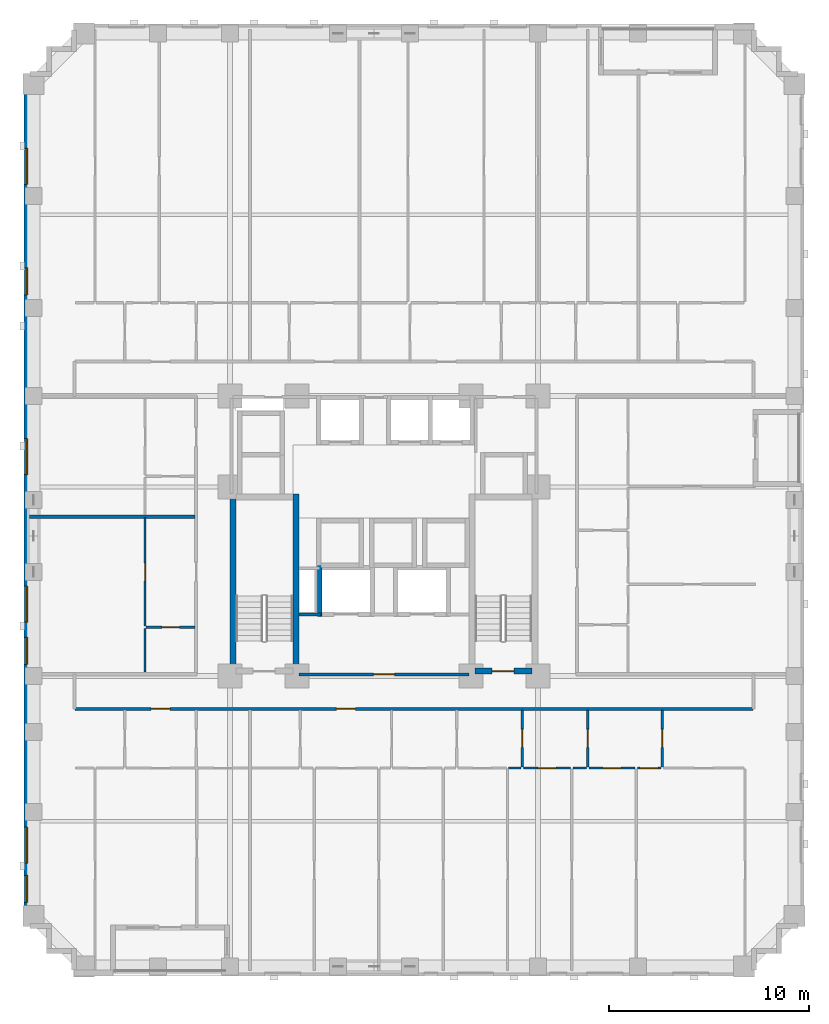
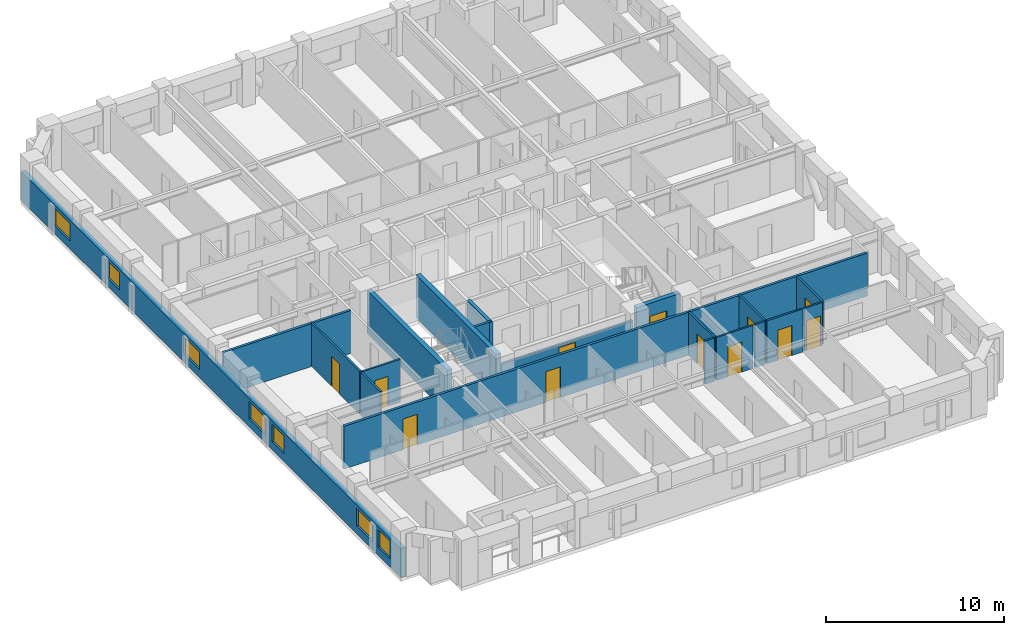
# One storey, part 4 of 14: 20 walls, 12 doors, 7 windows, 19 openings.
"""IFC4 building model written with IfcOpenShell, lengths in metres."""

import ifcopenshell
import ifcopenshell.guid

model = None  # the IFC model being written
_history = None  # IfcOwnerHistory: only IFC2X3 demands one
_inside = {}  # id of a spatial element -> (the spatial element, [elements in it])
_under = {}  # id of a project, library or spatial element -> (it, [spatial elements below it])
_declared = {}  # id of a project -> (the project, [libraries it declares])
_typed = {}  # id of a type object -> (the type object, [elements of that type])
_made_of = {}  # id of a material, layer set ... -> (it, [elements and type objects made of it])


def new_model(schema):
    """Start an empty IFC model of exactly this schema.

    Asked for "IFC4X3", IfcOpenShell would pick the latest addendum, in which some entities
    have other attributes; the version numbers below select the first issue.
    IFC2X3 requires an IfcOwnerHistory on every rooted entity: one is made here for all.
    """
    global model, _history
    if schema == "IFC4X3":
        model = ifcopenshell.file(schema_version=(4, 3, 0, 0))
    else:
        model = ifcopenshell.file(schema=schema)
    _inside.clear()
    _under.clear()
    _declared.clear()
    _typed.clear()
    _made_of.clear()
    _history = None
    if model.schema == "IFC2X3":
        org = make("IfcOrganization", Name="unknown")
        user = make(
            "IfcPersonAndOrganization",
            ThePerson=make("IfcPerson", FamilyName="unknown"),
            TheOrganization=org,
        )
        app = make(
            "IfcApplication",
            ApplicationDeveloper=org,
            Version="unknown",
            ApplicationFullName="unknown",
            ApplicationIdentifier="unknown",
        )
        _history = make(
            "IfcOwnerHistory",
            OwningUser=user,
            OwningApplication=app,
            ChangeAction="ADDED",
            CreationDate=0,
        )
    return model


def make(cls, **values):
    """One entity of the class cls with the attributes given. An attribute that is None is left unset."""
    return model.create_entity(
        cls, **{name: value for name, value in values.items() if value is not None}
    )


def rooted(cls, **values):
    """An entity with a GlobalId (a new one), such as an element, a storey or a relation."""
    return make(cls, GlobalId=ifcopenshell.guid.new(), OwnerHistory=_history, **values)


def si_unit(unit_type, name, prefix=None):
    """IfcSIUnit, for example si_unit("LENGTHUNIT", "METRE", prefix="MILLI")."""
    return make("IfcSIUnit", UnitType=unit_type, Prefix=prefix, Name=name)


def derived_unit(unit_type, elements):
    """IfcDerivedUnit: a product of units, each with its exponent."""
    return make(
        "IfcDerivedUnit",
        Elements=[
            make("IfcDerivedUnitElement", Unit=unit, Exponent=power)
            for unit, power in elements
        ],
        UnitType=unit_type,
    )


def assignment(units):
    """IfcUnitAssignment: the units of a project."""
    return None if units is None else make("IfcUnitAssignment", Units=units)


def point(xyz):
    """IfcCartesianPoint."""
    return None if xyz is None else make("IfcCartesianPoint", Coordinates=xyz)


def direction(xyz):
    """IfcDirection."""
    return None if xyz is None else make("IfcDirection", DirectionRatios=xyz)


def frame(location, z_axis=None, x_axis=None):
    """IfcAxis2Placement3D, a coordinate frame: its origin and axes. An axis left out is left unset."""
    return make(
        "IfcAxis2Placement3D",
        Location=point(location),
        Axis=direction(z_axis),
        RefDirection=direction(x_axis),
    )


def frame_2d(location, x_axis=None):
    """IfcAxis2Placement2D, a coordinate frame in the plane: its origin and x axis."""
    return make(
        "IfcAxis2Placement2D", Location=point(location), RefDirection=direction(x_axis)
    )


def origin():
    """The frame at (0, 0, 0) with its axes left unset."""
    return frame((0.0, 0.0, 0.0))


def place(relative_to, where):
    """IfcLocalPlacement: puts the frame where relative to a parent placement (None: the world)."""
    return make(
        "IfcLocalPlacement", PlacementRelTo=relative_to, RelativePlacement=where
    )


def context(
    kind, dimensions, precision=None, world=None, true_north=None, identifier=None
):
    """IfcGeometricRepresentationContext, for example the 3D "Model" context."""
    return make(
        "IfcGeometricRepresentationContext",
        ContextIdentifier=identifier,
        ContextType=kind,
        CoordinateSpaceDimension=dimensions,
        Precision=precision,
        WorldCoordinateSystem=world,
        TrueNorth=true_north,
    )


def subcontext(parent, identifier, kind, view, scale=None):
    """IfcGeometricRepresentationSubContext, for example "Body" below "Model"."""
    return make(
        "IfcGeometricRepresentationSubContext",
        ContextIdentifier=identifier,
        ContextType=kind,
        ParentContext=parent,
        TargetScale=scale,
        TargetView=view,
    )


def project(units=None, contexts=None):
    """IfcProject with its units and contexts."""
    return rooted(
        "IfcProject",
        Name="project",
        RepresentationContexts=contexts,
        UnitsInContext=assignment(units),
    )


def spatial(cls, under=None, at=None, **own):
    """A site, building, storey or space (cls), placed at a placement, below another one or the project."""
    s = rooted(cls, ObjectPlacement=at, **own)
    if under is not None:
        _under.setdefault(under.id(), (under, []))[1].append(s)
    return s


def profile(cls, at=None, kind="AREA", **sizes):
    """A parametric profile (cls). Its sizes go by their IFC names, for example OverallWidth=200.0."""
    return make(cls, ProfileType=kind, Position=at, **sizes)


def rectangle(**sizes):
    """IfcRectangleProfileDef."""
    return profile("IfcRectangleProfileDef", **sizes)


def extrude(swept, where, along, depth):
    """IfcExtrudedAreaSolid: the profile swept, set in the frame where, extruded along a direction by depth."""
    return make(
        "IfcExtrudedAreaSolid",
        SweptArea=swept,
        Position=where,
        ExtrudedDirection=direction(along),
        Depth=depth,
    )


def shape(context_of_items, identifier, shape_type, items):
    """IfcShapeRepresentation: the items that make up one representation, for example the "Body"."""
    return make(
        "IfcShapeRepresentation",
        ContextOfItems=context_of_items,
        RepresentationIdentifier=identifier,
        RepresentationType=shape_type,
        Items=items,
    )


def material(Name=None, Category=None):
    """IfcMaterial."""
    return make("IfcMaterial", Name=Name, Category=Category)


def layer(
    of_material, thickness, ventilated=None, Name=None, Category=None, Priority=None
):
    """IfcMaterialLayer: one layer of a wall or slab, of a material (None: an air gap)."""
    return make(
        "IfcMaterialLayer",
        Material=of_material,
        LayerThickness=thickness,
        IsVentilated=ventilated,
        Name=Name,
        Category=Category,
        Priority=Priority,
    )


def layer_set(layers, Name=None):
    """IfcMaterialLayerSet."""
    return make("IfcMaterialLayerSet", MaterialLayers=layers, LayerSetName=Name)


def made_of(thing, what):
    """Note that an element or type object is made of a material, layer set ...; save() writes the relation."""
    if what is not None:
        _made_of.setdefault(what.id(), (what, []))[1].append(thing)
    return thing


def type_object(cls, material=None, **own):
    """A type object (cls), such as IfcWallType, which elements share."""
    return made_of(rooted(cls, **own), material)


def element(
    cls,
    number,
    at=None,
    inside=None,
    cuts=None,
    type_object=None,
    material=None,
    context=None,
    identifier="Body",
    shape_type=None,
    held_by="IfcProductDefinitionShape",
    body=None,
    shapes=None,
    **own,
):
    """One element of the class cls, such as IfcWall. Its Tag is "e" and its number.

    at: its placement. inside: the storey or other place that contains it. cuts: it is an
    opening in that element (IfcRelVoidsElement). A single representation is given by context,
    identifier, shape_type and body (its items); several are given by shapes. held_by: the class
    of the entity that holds the representations. save() writes the other relations.
    """
    e = rooted(cls, Tag="e%d" % number, ObjectPlacement=at, **own)
    if body is not None:
        shapes = [shape(context, identifier, shape_type, body)]
    if shapes is not None:
        e.Representation = make(held_by, Representations=shapes)
    if inside is not None:
        _inside.setdefault(inside.id(), (inside, []))[1].append(e)
    if cuts is not None:
        rooted(
            "IfcRelVoidsElement", RelatingBuildingElement=cuts, RelatedOpeningElement=e
        )
    if type_object is not None:
        _typed.setdefault(type_object.id(), (type_object, []))[1].append(e)
    return made_of(e, material)


def fill(opening, filler):
    """IfcRelFillsElement: the door or window that sits in an opening."""
    return rooted(
        "IfcRelFillsElement",
        RelatingOpeningElement=opening,
        RelatedBuildingElement=filler,
    )


def aggregate(whole, parts):
    """IfcRelAggregates: a whole, such as a stair, and the parts it consists of."""
    return rooted("IfcRelAggregates", RelatingObject=whole, RelatedObjects=parts)


def save(model, path):
    """Write the relations noted so far, then the file.

    IfcRelAggregates (storeys below a building ...), IfcRelContainedInSpatialStructure (elements
    in a storey), IfcRelDefinesByType, IfcRelAssociatesMaterial and IfcRelDeclares: one each for
    every whole, place, type object, material and project.
    """
    for whole, parts in _under.values():
        aggregate(whole, parts)
    for where, things in _inside.values():
        rooted(
            "IfcRelContainedInSpatialStructure",
            RelatedElements=things,
            RelatingStructure=where,
        )
    for kind, things in _typed.values():
        rooted("IfcRelDefinesByType", RelatedObjects=things, RelatingType=kind)
    for what, things in _made_of.values():
        rooted("IfcRelAssociatesMaterial", RelatedObjects=things, RelatingMaterial=what)
    for by, libraries in _declared.values():
        rooted("IfcRelDeclares", RelatingContext=by, RelatedDefinitions=libraries)
    model.write(path)


model = new_model("IFC4")

# Units and contexts
model_context = context("Model", 3, precision=1e-05, world=origin(), true_north=direction((0.0, 1.0)))
body_context = subcontext(model_context, "Body", "Model", "MODEL_VIEW")
ifc_project = project(units=[si_unit("LENGTHUNIT", "METRE"), si_unit("AREAUNIT", "SQUARE_METRE"), si_unit("VOLUMEUNIT", "CUBIC_METRE"), si_unit("PLANEANGLEUNIT", "RADIAN"), si_unit("MASSUNIT", "GRAM", prefix="KILO"), derived_unit("THERMALTRANSMITTANCEUNIT", [(si_unit("MASSUNIT", "GRAM", prefix="KILO"), 1), (si_unit("TIMEUNIT", "SECOND"), -3), (si_unit("THERMODYNAMICTEMPERATUREUNIT", "KELVIN"), -1)])], contexts=[model_context])

# Site, building, storey
site_placement = place(None, origin())
site = spatial("IfcSite", under=ifc_project, at=site_placement, CompositionType="ELEMENT")
building_placement = place(site_placement, origin())
building = spatial("IfcBuilding", under=site, at=building_placement, Name="Korrvale Station Residences", CompositionType="ELEMENT")
storey_placement = place(building_placement, frame((0.0, 0.0, 64.199951171875)))
storey = spatial("IfcBuildingStorey", under=building, at=storey_placement, Name="L17", CompositionType="ELEMENT", Elevation=64.199951171875)

# Walls
ifc_material_1 = material(Name="Concrete C70/85", Category="concrete")
ifc_layer_1 = layer(ifc_material_1, 0.300048828125, Name="Concrete C70/85")
ifc_layer_set_1 = layer_set([ifc_layer_1], Name="Concrete C70/85")
wall_type_1 = type_object("IfcWallType", Name="WAL-CORE-300-C70", PredefinedType="SHEAR", material=ifc_layer_set_1)
for number, where, z_axis, x_axis, name in (
    (1, (17.949951171875, 15.10009765625, 0.0), (0.0, 0.0, 1.0), (0.0, 1.0, 0.0), "L17 ST-1 Core Shear Wall West"),
    (2, (21.10009765625, 15.10009765625, 0.0), (0.0, 0.0, 1.0), (0.0, 1.0, 0.0), "L17 ST-1 Core Shear Wall East"),
):
    element("IfcWall", number, at=place(storey_placement, frame(where, z_axis=z_axis, x_axis=x_axis)), inside=storey, type_object=wall_type_1, Name=name, PredefinedType="SHEAR", context=body_context, shape_type="SweptSolid", body=[
        extrude(rectangle(XDim=9.0, YDim=0.300048828125, at=frame_2d((4.5, 0.0))), origin(), (0.0, 0.0, 1.0), 2.93994140625),
    ])

# Wall, opening, door
wall_1_placement = place(storey_placement, frame((30.050048828125, 15.25, 0.0), z_axis=(0.0, 0.0, 1.0), x_axis=(1.0, 0.0, 0.0)))
wall_1 = element("IfcWall", 3, at=wall_1_placement, inside=storey, type_object=wall_type_1, Name="L17 ST-2 Core Shear Wall South", PredefinedType="SHEAR", context=body_context, shape_type="SweptSolid", body=[
    extrude(rectangle(XDim=2.849853515625, YDim=0.300048828125, at=frame_2d((1.4248046875, 0.0))), origin(), (0.0, 0.0, 1.0), 2.93994140625),
])
opening_1_placement = place(wall_1_placement, frame((0.860107421875, 0.0, 0.0)))
opening_1 = element("IfcOpeningElement", 4, at=opening_1_placement, cuts=wall_1, Name="Opening SD-1100", PredefinedType="OPENING", context=body_context, shape_type="SweptSolid", body=[
    extrude(rectangle(XDim=1.10009765625, YDim=2.050048828125, at=frame_2d((0.550048828125, 1.02490234375))), frame((0.0, 0.16015625, 0.0), z_axis=(0.0, -1.0, 0.0), x_axis=(1.0, 0.0, 0.0)), (0.0, 0.0, 1.0), 0.320068359375),
])
ifc_material_2 = material(Name="Hollow-metal fire-rated stair door with closer", Category="steel")
door_type_1 = type_object("IfcDoorType", Name="DR-STAIR-1100", OperationType="NOTDEFINED", PredefinedType="DOOR", material=ifc_material_2)
door_1_placement = place(opening_1_placement, origin())
door_1 = element("IfcDoor", 5, at=door_1_placement, inside=storey, type_object=door_type_1, Name="L17 ST-2 Exit Stair Door", OperationType="SINGLE_SWING_RIGHT", OverallHeight=2.050048828125, OverallWidth=1.10009765625, PredefinedType="DOOR", context=body_context, shape_type="SweptSolid", body=[
    extrude(rectangle(XDim=1.10009765625, YDim=2.050048828125, at=frame_2d((0.550048828125, 1.02490234375))), frame((0.0, 0.02490234375, 0.0), z_axis=(0.0, -1.0, 0.0), x_axis=(1.0, 0.0, 0.0)), (0.0, 0.0, 1.0), 0.050048828125),
])
fill(opening_1, door_1)

# Wall, openings, windows
ifc_material_3 = material(Name="Precast concrete C45/55", Category="concrete")
ifc_layer_2 = layer(ifc_material_3, 0.300048828125, Name="Precast concrete C45/55")
ifc_layer_set_2 = layer_set([ifc_layer_2], Name="Precast concrete C45/55")
wall_type_2 = type_object("IfcWallType", Name="WAL-EXT-PC300", PredefinedType="SOLIDWALL", material=ifc_layer_set_2)
wall_2_placement = place(storey_placement, frame((7.64990234375, 2.5, 0.0), z_axis=(0.0, 0.0, 1.0), x_axis=(0.0, 1.0, 0.0)))
wall_2 = element("IfcWall", 6, at=wall_2_placement, inside=storey, type_object=wall_type_2, Name="L17 West Exterior Precast Wall 1", PredefinedType="SOLIDWALL", context=body_context, shape_type="SweptSolid", body=[
    extrude(rectangle(XDim=42.60009765625, YDim=0.300048828125, at=frame_2d((21.300048828125, 0.0))), origin(), (0.0, 0.0, 1.0), 1.97509765625),
])
opening_2_placement = place(wall_2_placement, frame((3.14990234375, 0.0, 0.550048828125)))
opening_2 = element("IfcOpeningElement", 7, at=opening_2_placement, cuts=wall_2, Name="Opening W-09", PredefinedType="OPENING", context=body_context, shape_type="SweptSolid", body=[
    extrude(rectangle(XDim=1.800048828125, YDim=1.199951171875, at=frame_2d((0.89990234375, 0.60009765625))), frame((0.0, 0.16015625, 0.0), z_axis=(0.0, -1.0, 0.0), x_axis=(1.0, 0.0, 0.0)), (0.0, 0.0, 1.0), 0.320068359375),
])
opening_3_placement = place(wall_2_placement, frame((1.18505859375, 0.0, 0.550048828125)))
opening_3 = element("IfcOpeningElement", 8, at=opening_3_placement, cuts=wall_2, Name="Opening W-10", PredefinedType="OPENING", context=body_context, shape_type="SweptSolid", body=[
    extrude(rectangle(XDim=1.35009765625, YDim=1.199951171875, at=frame_2d((0.675048828125, 0.60009765625))), frame((0.0, 0.16015625, 0.0), z_axis=(0.0, -1.0, 0.0), x_axis=(1.0, 0.0, 0.0)), (0.0, 0.0, 1.0), 0.320068359375),
])
opening_4_placement = place(wall_2_placement, frame((37.0849609375, 0.0, 0.550048828125)))
opening_4 = element("IfcOpeningElement", 9, at=opening_4_placement, cuts=wall_2, Name="Opening W-09", PredefinedType="OPENING", context=body_context, shape_type="SweptSolid", body=[
    extrude(rectangle(XDim=1.800048828125, YDim=1.199951171875, at=frame_2d((0.89990234375, 0.60009765625))), frame((0.0, 0.16015625, 0.0), z_axis=(0.0, -1.0, 0.0), x_axis=(1.0, 0.0, 0.0)), (0.0, 0.0, 1.0), 0.320068359375),
])
opening_5_placement = place(wall_2_placement, frame((31.550048828125, 0.0, 0.550048828125)))
opening_5 = element("IfcOpeningElement", 10, at=opening_5_placement, cuts=wall_2, Name="Opening W-10", PredefinedType="OPENING", context=body_context, shape_type="SweptSolid", body=[
    extrude(rectangle(XDim=1.35009765625, YDim=1.199951171875, at=frame_2d((0.675048828125, 0.60009765625))), frame((0.0, 0.16015625, 0.0), z_axis=(0.0, -1.0, 0.0), x_axis=(1.0, 0.0, 0.0)), (0.0, 0.0, 1.0), 0.320068359375),
])
opening_6_placement = place(wall_2_placement, frame((15.199951171875, 0.0, 0.550048828125)))
opening_6 = element("IfcOpeningElement", 11, at=opening_6_placement, cuts=wall_2, Name="Opening W-09", PredefinedType="OPENING", context=body_context, shape_type="SweptSolid", body=[
    extrude(rectangle(XDim=1.800048828125, YDim=1.199951171875, at=frame_2d((0.89990234375, 0.60009765625))), frame((0.0, 0.16015625, 0.0), z_axis=(0.0, -1.0, 0.0), x_axis=(1.0, 0.0, 0.0)), (0.0, 0.0, 1.0), 0.320068359375),
])
opening_7_placement = place(wall_2_placement, frame((13.0849609375, 0.0, 0.550048828125)))
opening_7 = element("IfcOpeningElement", 12, at=opening_7_placement, cuts=wall_2, Name="Opening W-10", PredefinedType="OPENING", context=body_context, shape_type="SweptSolid", body=[
    extrude(rectangle(XDim=1.35009765625, YDim=1.199951171875, at=frame_2d((0.675048828125, 0.60009765625))), frame((0.0, 0.16015625, 0.0), z_axis=(0.0, -1.0, 0.0), x_axis=(1.0, 0.0, 0.0)), (0.0, 0.0, 1.0), 0.320068359375),
])
opening_8_placement = place(wall_2_placement, frame((22.574951171875, 0.0, 0.550048828125)))
opening_8 = element("IfcOpeningElement", 13, at=opening_8_placement, cuts=wall_2, Name="Opening W-09", PredefinedType="OPENING", context=body_context, shape_type="SweptSolid", body=[
    extrude(rectangle(XDim=1.800048828125, YDim=1.199951171875, at=frame_2d((0.89990234375, 0.60009765625))), frame((0.0, 0.16015625, 0.0), z_axis=(0.0, -1.0, 0.0), x_axis=(1.0, 0.0, 0.0)), (0.0, 0.0, 1.0), 0.320068359375),
])
ifc_material_4 = material(Name="Thermally broken aluminium frame with triple low-e glazing", Category="aluminium")
window_type_1 = type_object("IfcWindowType", Name="WIN-W09", PartitioningType="DOUBLE_PANEL_VERTICAL", PredefinedType="WINDOW", material=ifc_material_4)
window_1_placement = place(opening_2_placement, origin())
window_1 = element("IfcWindow", 14, at=window_1_placement, inside=storey, type_object=window_type_1, Name="L17 Punched Window 01", OverallHeight=1.199951171875, OverallWidth=1.800048828125, PartitioningType="DOUBLE_PANEL_VERTICAL", PredefinedType="WINDOW", context=body_context, shape_type="SweptSolid", body=[
    extrude(rectangle(XDim=1.800048828125, YDim=1.199951171875, at=frame_2d((0.89990234375, 0.60009765625))), frame((0.0, 0.030029296875, 0.0), z_axis=(0.0, -1.0, 0.0), x_axis=(1.0, 0.0, 0.0)), (0.0, 0.0, 1.0), 0.06005859375),
])
fill(opening_2, window_1)
window_2_placement = place(opening_4_placement, origin())
window_2 = element("IfcWindow", 15, at=window_2_placement, inside=storey, type_object=window_type_1, Name="L17 Punched Window 13", OverallHeight=1.199951171875, OverallWidth=1.800048828125, PartitioningType="DOUBLE_PANEL_VERTICAL", PredefinedType="WINDOW", context=body_context, shape_type="SweptSolid", body=[
    extrude(rectangle(XDim=1.800048828125, YDim=1.199951171875, at=frame_2d((0.89990234375, 0.60009765625))), frame((0.0, 0.030029296875, 0.0), z_axis=(0.0, -1.0, 0.0), x_axis=(1.0, 0.0, 0.0)), (0.0, 0.0, 1.0), 0.06005859375),
])
fill(opening_4, window_2)
window_3_placement = place(opening_6_placement, origin())
window_3 = element("IfcWindow", 16, at=window_3_placement, inside=storey, type_object=window_type_1, Name="L17 Punched Window 25", OverallHeight=1.199951171875, OverallWidth=1.800048828125, PartitioningType="DOUBLE_PANEL_VERTICAL", PredefinedType="WINDOW", context=body_context, shape_type="SweptSolid", body=[
    extrude(rectangle(XDim=1.800048828125, YDim=1.199951171875, at=frame_2d((0.89990234375, 0.60009765625))), frame((0.0, 0.030029296875, 0.0), z_axis=(0.0, -1.0, 0.0), x_axis=(1.0, 0.0, 0.0)), (0.0, 0.0, 1.0), 0.06005859375),
])
fill(opening_6, window_3)
window_4_placement = place(opening_8_placement, origin())
window_4 = element("IfcWindow", 17, at=window_4_placement, inside=storey, type_object=window_type_1, Name="L17 Punched Window 27", OverallHeight=1.199951171875, OverallWidth=1.800048828125, PartitioningType="DOUBLE_PANEL_VERTICAL", PredefinedType="WINDOW", context=body_context, shape_type="SweptSolid", body=[
    extrude(rectangle(XDim=1.800048828125, YDim=1.199951171875, at=frame_2d((0.89990234375, 0.60009765625))), frame((0.0, 0.030029296875, 0.0), z_axis=(0.0, -1.0, 0.0), x_axis=(1.0, 0.0, 0.0)), (0.0, 0.0, 1.0), 0.06005859375),
])
fill(opening_8, window_4)
window_type_2 = type_object("IfcWindowType", Name="WIN-W10", PartitioningType="SINGLE_PANEL", PredefinedType="WINDOW", material=ifc_material_4)
window_5_placement = place(opening_3_placement, origin())
window_5 = element("IfcWindow", 18, at=window_5_placement, inside=storey, type_object=window_type_2, Name="L17 Punched Window 02", OverallHeight=1.199951171875, OverallWidth=1.35009765625, PartitioningType="SINGLE_PANEL", PredefinedType="WINDOW", context=body_context, shape_type="SweptSolid", body=[
    extrude(rectangle(XDim=1.35009765625, YDim=1.199951171875, at=frame_2d((0.675048828125, 0.60009765625))), frame((0.0, 0.030029296875, 0.0), z_axis=(0.0, -1.0, 0.0), x_axis=(1.0, 0.0, 0.0)), (0.0, 0.0, 1.0), 0.06005859375),
])
fill(opening_3, window_5)
window_6_placement = place(opening_5_placement, origin())
window_6 = element("IfcWindow", 19, at=window_6_placement, inside=storey, type_object=window_type_2, Name="L17 Punched Window 14", OverallHeight=1.199951171875, OverallWidth=1.35009765625, PartitioningType="SINGLE_PANEL", PredefinedType="WINDOW", context=body_context, shape_type="SweptSolid", body=[
    extrude(rectangle(XDim=1.35009765625, YDim=1.199951171875, at=frame_2d((0.675048828125, 0.60009765625))), frame((0.0, 0.030029296875, 0.0), z_axis=(0.0, -1.0, 0.0), x_axis=(1.0, 0.0, 0.0)), (0.0, 0.0, 1.0), 0.06005859375),
])
fill(opening_5, window_6)
window_7_placement = place(opening_7_placement, origin())
window_7 = element("IfcWindow", 20, at=window_7_placement, inside=storey, type_object=window_type_2, Name="L17 Punched Window 26", OverallHeight=1.199951171875, OverallWidth=1.35009765625, PartitioningType="SINGLE_PANEL", PredefinedType="WINDOW", context=body_context, shape_type="SweptSolid", body=[
    extrude(rectangle(XDim=1.35009765625, YDim=1.199951171875, at=frame_2d((0.675048828125, 0.60009765625))), frame((0.0, 0.030029296875, 0.0), z_axis=(0.0, -1.0, 0.0), x_axis=(1.0, 0.0, 0.0)), (0.0, 0.0, 1.0), 0.06005859375),
])
fill(opening_7, window_7)

# Wall, opening, door
ifc_material_5 = material(Name="Acoustic steel-stud gypsum board partition", Category="steel")
ifc_layer_3 = layer(ifc_material_5, 0.1201171875, Name="Acoustic steel-stud gypsum board partition")
ifc_layer_set_3 = layer_set([ifc_layer_3], Name="Acoustic steel-stud gypsum board partition")
wall_type_3 = type_object("IfcWallType", Name="WAL-PART-125", PredefinedType="PARTITIONING", material=ifc_layer_set_3)
wall_3_placement = place(storey_placement, frame((32.416015625, 10.4599609375, 0.0), z_axis=(0.0, 0.0, 1.0), x_axis=(0.0, 1.0, 0.0)))
wall_3 = element("IfcWall", 21, at=wall_3_placement, inside=storey, type_object=wall_type_3, Name="L17 Suite Partition U02-V34", PredefinedType="PARTITIONING", context=body_context, shape_type="SweptSolid", body=[
    extrude(rectangle(XDim=2.85009765625, YDim=0.1201171875, at=frame_2d((1.425048828125, 0.0))), origin(), (0.0, 0.0, 1.0), 2.93994140625),
])
opening_9_placement = place(wall_3_placement, frame((0.97509765625, 0.0, 0.0)))
opening_9 = element("IfcOpeningElement", 22, at=opening_9_placement, cuts=wall_3, Name="Opening DI-900", PredefinedType="OPENING", context=body_context, shape_type="SweptSolid", body=[
    extrude(rectangle(XDim=0.89990234375, YDim=2.050048828125, at=frame_2d((0.449951171875, 1.02490234375))), frame((0.0, 0.070068359375, 0.0), z_axis=(0.0, -1.0, 0.0), x_axis=(1.0, 0.0, 0.0)), (0.0, 0.0, 1.0), 0.14013671875),
])
ifc_material_6 = material(Name="Painted solid-core timber interior room door", Category="wood")
door_type_2 = type_object("IfcDoorType", Name="DR-INT-900", OperationType="NOTDEFINED", PredefinedType="DOOR", material=ifc_material_6)
door_2_placement = place(opening_9_placement, origin())
door_2 = element("IfcDoor", 23, at=door_2_placement, inside=storey, type_object=door_type_2, Name="L17 Studio Apartment L17-U02 Home Study Room Door", OperationType="SINGLE_SWING_LEFT", OverallHeight=2.050048828125, OverallWidth=0.89990234375, PredefinedType="DOOR", context=body_context, shape_type="SweptSolid", body=[
    extrude(rectangle(XDim=0.89990234375, YDim=2.050048828125, at=frame_2d((0.449951171875, 1.02490234375))), frame((0.0, 0.02490234375, 0.0), z_axis=(0.0, -1.0, 0.0), x_axis=(1.0, 0.0, 0.0)), (0.0, 0.0, 1.0), 0.050048828125),
])
fill(opening_9, door_2)

# Wall
wall_4_placement = place(storey_placement, frame((31.736083984375, 10.39990234375, 0.0), z_axis=(0.0, 0.0, 1.0), x_axis=(1.0, 0.0, 0.0)))
element("IfcWall", 24, at=wall_4_placement, inside=storey, type_object=wall_type_3, Name="L17 Suite Partition U02-H311", PredefinedType="PARTITIONING", context=body_context, shape_type="SweptSolid", body=[
    extrude(rectangle(XDim=0.619873046875, YDim=0.1201171875, at=frame_2d((0.31005859375, 0.0))), origin(), (0.0, 0.0, 1.0), 2.93994140625),
])

# Wall, opening, door
wall_5_placement = place(storey_placement, frame((35.68603515625, 10.4599609375, 0.0), z_axis=(0.0, 0.0, 1.0), x_axis=(0.0, 1.0, 0.0)))
wall_5 = element("IfcWall", 25, at=wall_5_placement, inside=storey, type_object=wall_type_3, Name="L17 Suite Partition U02-V45", PredefinedType="PARTITIONING", context=body_context, shape_type="SweptSolid", body=[
    extrude(rectangle(XDim=2.85009765625, YDim=0.1201171875, at=frame_2d((1.425048828125, 0.0))), origin(), (0.0, 0.0, 1.0), 2.93994140625),
])
opening_10_placement = place(wall_5_placement, frame((0.97509765625, 0.0, 0.0)))
opening_10 = element("IfcOpeningElement", 26, at=opening_10_placement, cuts=wall_5, Name="Opening DI-900", PredefinedType="OPENING", context=body_context, shape_type="SweptSolid", body=[
    extrude(rectangle(XDim=0.89990234375, YDim=2.050048828125, at=frame_2d((0.449951171875, 1.02490234375))), frame((0.0, 0.070068359375, 0.0), z_axis=(0.0, -1.0, 0.0), x_axis=(1.0, 0.0, 0.0)), (0.0, 0.0, 1.0), 0.14013671875),
])
door_3_placement = place(opening_10_placement, origin())
door_3 = element("IfcDoor", 27, at=door_3_placement, inside=storey, type_object=door_type_2, Name="L17 Studio Apartment L17-U02 Utility and Laundry Room Door", OperationType="SINGLE_SWING_LEFT", OverallHeight=2.050048828125, OverallWidth=0.89990234375, PredefinedType="DOOR", context=body_context, shape_type="SweptSolid", body=[
    extrude(rectangle(XDim=0.89990234375, YDim=2.050048828125, at=frame_2d((0.449951171875, 1.02490234375))), frame((0.0, 0.02490234375, 0.0), z_axis=(0.0, -1.0, 0.0), x_axis=(1.0, 0.0, 0.0)), (0.0, 0.0, 1.0), 0.050048828125),
])
fill(opening_10, door_3)

wall_6_placement = place(storey_placement, frame((32.47607421875, 10.39990234375, 0.0), z_axis=(0.0, 0.0, 1.0), x_axis=(1.0, 0.0, 0.0)))
wall_6 = element("IfcWall", 28, at=wall_6_placement, inside=storey, type_object=wall_type_3, Name="L17 Suite Partition U02-H411", PredefinedType="PARTITIONING", context=body_context, shape_type="SweptSolid", body=[
    extrude(rectangle(XDim=2.35986328125, YDim=0.1201171875, at=frame_2d((1.179931640625, 0.0))), origin(), (0.0, 0.0, 1.0), 2.93994140625),
])
opening_11_placement = place(wall_6_placement, frame((0.72998046875, 0.0, 0.0)))
opening_11 = element("IfcOpeningElement", 29, at=opening_11_placement, cuts=wall_6, Name="Opening DI-900", PredefinedType="OPENING", context=body_context, shape_type="SweptSolid", body=[
    extrude(rectangle(XDim=0.89990234375, YDim=2.050048828125, at=frame_2d((0.449951171875, 1.02490234375))), frame((0.0, 0.070068359375, 0.0), z_axis=(0.0, -1.0, 0.0), x_axis=(1.0, 0.0, 0.0)), (0.0, 0.0, 1.0), 0.14013671875),
])
door_4_placement = place(opening_11_placement, origin())
door_4 = element("IfcDoor", 30, at=door_4_placement, inside=storey, type_object=door_type_2, Name="L17 Studio Apartment L17-U02 Utility and Laundry Room Door", OperationType="SINGLE_SWING_RIGHT", OverallHeight=2.050048828125, OverallWidth=0.89990234375, PredefinedType="DOOR", context=body_context, shape_type="SweptSolid", body=[
    extrude(rectangle(XDim=0.89990234375, YDim=2.050048828125, at=frame_2d((0.449951171875, 1.02490234375))), frame((0.0, 0.02490234375, 0.0), z_axis=(0.0, -1.0, 0.0), x_axis=(1.0, 0.0, 0.0)), (0.0, 0.0, 1.0), 0.050048828125),
])
fill(opening_11, door_4)

# Wall
wall_7_placement = place(storey_placement, frame((34.9560546875, 10.39990234375, 0.0), z_axis=(0.0, 0.0, 1.0), x_axis=(1.0, 0.0, 0.0)))
element("IfcWall", 31, at=wall_7_placement, inside=storey, type_object=wall_type_3, Name="L17 Suite Partition U02-H412", PredefinedType="PARTITIONING", context=body_context, shape_type="SweptSolid", body=[
    extrude(rectangle(XDim=0.669921875, YDim=0.1201171875, at=frame_2d((0.3349609375, 0.0))), origin(), (0.0, 0.0, 1.0), 2.93994140625),
])

# Wall, opening, door
wall_8_placement = place(storey_placement, frame((39.406005859375, 10.4599609375, 0.0), z_axis=(0.0, 0.0, 1.0), x_axis=(0.0, 1.0, 0.0)))
wall_8 = element("IfcWall", 32, at=wall_8_placement, inside=storey, type_object=wall_type_3, Name="L17 Suite Partition U02-V56", PredefinedType="PARTITIONING", context=body_context, shape_type="SweptSolid", body=[
    extrude(rectangle(XDim=2.85009765625, YDim=0.1201171875, at=frame_2d((1.425048828125, 0.0))), origin(), (0.0, 0.0, 1.0), 2.93994140625),
])
opening_12_placement = place(wall_8_placement, frame((0.97509765625, 0.0, 0.0)))
opening_12 = element("IfcOpeningElement", 33, at=opening_12_placement, cuts=wall_8, Name="Opening DI-900", PredefinedType="OPENING", context=body_context, shape_type="SweptSolid", body=[
    extrude(rectangle(XDim=0.89990234375, YDim=2.050048828125, at=frame_2d((0.449951171875, 1.02490234375))), frame((0.0, 0.070068359375, 0.0), z_axis=(0.0, -1.0, 0.0), x_axis=(1.0, 0.0, 0.0)), (0.0, 0.0, 1.0), 0.14013671875),
])
door_5_placement = place(opening_12_placement, origin())
door_5 = element("IfcDoor", 34, at=door_5_placement, inside=storey, type_object=door_type_2, Name="L17 Studio Apartment L17-U02 Storage Closet 2 Door", OperationType="SINGLE_SWING_LEFT", OverallHeight=2.050048828125, OverallWidth=0.89990234375, PredefinedType="DOOR", context=body_context, shape_type="SweptSolid", body=[
    extrude(rectangle(XDim=0.89990234375, YDim=2.050048828125, at=frame_2d((0.449951171875, 1.02490234375))), frame((0.0, 0.02490234375, 0.0), z_axis=(0.0, -1.0, 0.0), x_axis=(1.0, 0.0, 0.0)), (0.0, 0.0, 1.0), 0.050048828125),
])
fill(opening_12, door_5)

wall_9_placement = place(storey_placement, frame((35.74609375, 10.39990234375, 0.0), z_axis=(0.0, 0.0, 1.0), x_axis=(1.0, 0.0, 0.0)))
wall_9 = element("IfcWall", 35, at=wall_9_placement, inside=storey, type_object=wall_type_3, Name="L17 Suite Partition U02-H512", PredefinedType="PARTITIONING", context=body_context, shape_type="SweptSolid", body=[
    extrude(rectangle(XDim=2.309814453125, YDim=0.1201171875, at=frame_2d((1.15478515625, 0.0))), origin(), (0.0, 0.0, 1.0), 2.93994140625),
])
opening_13_placement = place(wall_9_placement, frame((0.705078125, 0.0, 0.0)))
opening_13 = element("IfcOpeningElement", 36, at=opening_13_placement, cuts=wall_9, Name="Opening DI-900", PredefinedType="OPENING", context=body_context, shape_type="SweptSolid", body=[
    extrude(rectangle(XDim=0.89990234375, YDim=2.050048828125, at=frame_2d((0.449951171875, 1.02490234375))), frame((0.0, 0.070068359375, 0.0), z_axis=(0.0, -1.0, 0.0), x_axis=(1.0, 0.0, 0.0)), (0.0, 0.0, 1.0), 0.14013671875),
])
door_6_placement = place(opening_13_placement, origin())
door_6 = element("IfcDoor", 37, at=door_6_placement, inside=storey, type_object=door_type_2, Name="L17 Studio Apartment L17-U02 Storage Closet 2 Door", OperationType="SINGLE_SWING_RIGHT", OverallHeight=2.050048828125, OverallWidth=0.89990234375, PredefinedType="DOOR", context=body_context, shape_type="SweptSolid", body=[
    extrude(rectangle(XDim=0.89990234375, YDim=2.050048828125, at=frame_2d((0.449951171875, 1.02490234375))), frame((0.0, 0.02490234375, 0.0), z_axis=(0.0, -1.0, 0.0), x_axis=(1.0, 0.0, 0.0)), (0.0, 0.0, 1.0), 0.050048828125),
])
fill(opening_13, door_6)

wall_10_placement = place(storey_placement, frame((38.176025390625, 10.39990234375, 0.0), z_axis=(0.0, 0.0, 1.0), x_axis=(1.0, 0.0, 0.0)))
wall_10 = element("IfcWall", 38, at=wall_10_placement, inside=storey, type_object=wall_type_3, Name="L17 Suite Partition U02-H513", PredefinedType="PARTITIONING", context=body_context, shape_type="SweptSolid", body=[
    extrude(rectangle(XDim=1.169921875, YDim=0.1201171875, at=frame_2d((0.5849609375, 0.0))), origin(), (0.0, 0.0, 1.0), 2.93994140625),
])
opening_14_placement = place(wall_10_placement, frame((0.135009765625, 0.0, 0.0)))
opening_14 = element("IfcOpeningElement", 39, at=opening_14_placement, cuts=wall_10, Name="Opening DI-900", PredefinedType="OPENING", context=body_context, shape_type="SweptSolid", body=[
    extrude(rectangle(XDim=0.89990234375, YDim=2.050048828125, at=frame_2d((0.449951171875, 1.02490234375))), frame((0.0, 0.070068359375, 0.0), z_axis=(0.0, -1.0, 0.0), x_axis=(1.0, 0.0, 0.0)), (0.0, 0.0, 1.0), 0.14013671875),
])
door_7_placement = place(opening_14_placement, origin())
door_7 = element("IfcDoor", 40, at=door_7_placement, inside=storey, type_object=door_type_2, Name="L17 Studio Apartment L17-U02 Storage Closet 2 Door", OperationType="SINGLE_SWING_LEFT", OverallHeight=2.050048828125, OverallWidth=0.89990234375, PredefinedType="DOOR", context=body_context, shape_type="SweptSolid", body=[
    extrude(rectangle(XDim=0.89990234375, YDim=2.050048828125, at=frame_2d((0.449951171875, 1.02490234375))), frame((0.0, 0.02490234375, 0.0), z_axis=(0.0, -1.0, 0.0), x_axis=(1.0, 0.0, 0.0)), (0.0, 0.0, 1.0), 0.050048828125),
])
fill(opening_14, door_7)

wall_11_placement = place(storey_placement, frame((13.610107421875, 17.428955078125, 0.0), z_axis=(0.0, 0.0, 1.0), x_axis=(1.0, 0.0, 0.0)))
wall_11 = element("IfcWall", 41, at=wall_11_placement, inside=storey, type_object=wall_type_3, Name="L17 Suite Partition U07-H01", PredefinedType="PARTITIONING", context=body_context, shape_type="SweptSolid", body=[
    extrude(rectangle(XDim=2.449951171875, YDim=0.1201171875, at=frame_2d((1.22509765625, 0.0))), origin(), (0.0, 0.0, 1.0), 2.93994140625),
])
opening_15_placement = place(wall_11_placement, frame((0.794921875, 0.0, 0.0)))
opening_15 = element("IfcOpeningElement", 42, at=opening_15_placement, cuts=wall_11, Name="Opening DB-860", PredefinedType="OPENING", context=body_context, shape_type="SweptSolid", body=[
    extrude(rectangle(XDim=0.860107421875, YDim=2.050048828125, at=frame_2d((0.43017578125, 1.02490234375))), frame((0.0, 0.070068359375, 0.0), z_axis=(0.0, -1.0, 0.0), x_axis=(1.0, 0.0, 0.0)), (0.0, 0.0, 1.0), 0.14013671875),
])
ifc_material_7 = material(Name="Moisture-resistant solid-core bathroom door", Category="timber")
door_type_3 = type_object("IfcDoorType", Name="DR-BATH-860", OperationType="NOTDEFINED", PredefinedType="DOOR", material=ifc_material_7)
door_8_placement = place(opening_15_placement, origin())
door_8 = element("IfcDoor", 43, at=door_8_placement, inside=storey, type_object=door_type_3, Name="L17 Apartment 1BR L17-U07 Bathroom Door", OperationType="SINGLE_SWING_LEFT", OverallHeight=2.050048828125, OverallWidth=0.860107421875, PredefinedType="DOOR", context=body_context, shape_type="SweptSolid", body=[
    extrude(rectangle(XDim=0.860107421875, YDim=2.050048828125, at=frame_2d((0.43017578125, 1.02490234375))), frame((0.0, 0.02490234375, 0.0), z_axis=(0.0, -1.0, 0.0), x_axis=(1.0, 0.0, 0.0)), (0.0, 0.0, 1.0), 0.050048828125),
])
fill(opening_15, door_8)

# Wall
wall_12_placement = place(storey_placement, frame((13.550048828125, 15.2099609375, 0.0), z_axis=(0.0, 0.0, 1.0), x_axis=(0.0, 1.0, 0.0)))
element("IfcWall", 44, at=wall_12_placement, inside=storey, type_object=wall_type_3, Name="L17 Suite Partition U07-V02", PredefinedType="PARTITIONING", context=body_context, shape_type="SweptSolid", body=[
    extrude(rectangle(XDim=2.158935546875, YDim=0.1201171875, at=frame_2d((1.07958984375, 0.0))), origin(), (0.0, 0.0, 1.0), 2.93994140625),
])

# Wall, opening, door
wall_13_placement = place(storey_placement, frame((13.550048828125, 17.489013671875, 0.0), z_axis=(0.0, 0.0, 1.0), x_axis=(0.0, 1.0, 0.0)))
wall_13 = element("IfcWall", 45, at=wall_13_placement, inside=storey, type_object=wall_type_3, Name="L17 Suite Partition U07-V12", PredefinedType="PARTITIONING", context=body_context, shape_type="SweptSolid", body=[
    extrude(rectangle(XDim=5.43310546875, YDim=0.1201171875, at=frame_2d((2.716552734375, 0.0))), origin(), (0.0, 0.0, 1.0), 2.93994140625),
])
opening_16_placement = place(wall_13_placement, frame((2.26611328125, 0.0, 0.0)))
opening_16 = element("IfcOpeningElement", 46, at=opening_16_placement, cuts=wall_13, Name="Opening DI-900", PredefinedType="OPENING", context=body_context, shape_type="SweptSolid", body=[
    extrude(rectangle(XDim=0.89990234375, YDim=2.050048828125, at=frame_2d((0.449951171875, 1.02490234375))), frame((0.0, 0.070068359375, 0.0), z_axis=(0.0, -1.0, 0.0), x_axis=(1.0, 0.0, 0.0)), (0.0, 0.0, 1.0), 0.14013671875),
])
door_9_placement = place(opening_16_placement, origin())
door_9 = element("IfcDoor", 47, at=door_9_placement, inside=storey, type_object=door_type_2, Name="L17 Apartment 1BR L17-U07 Kitchen Door", OperationType="SINGLE_SWING_RIGHT", OverallHeight=2.050048828125, OverallWidth=0.89990234375, PredefinedType="DOOR", context=body_context, shape_type="SweptSolid", body=[
    extrude(rectangle(XDim=0.89990234375, YDim=2.050048828125, at=frame_2d((0.449951171875, 1.02490234375))), frame((0.0, 0.02490234375, 0.0), z_axis=(0.0, -1.0, 0.0), x_axis=(1.0, 0.0, 0.0)), (0.0, 0.0, 1.0), 0.050048828125),
])
fill(opening_16, door_9)

ifc_material_8 = material(Name="Fire-rated twin-stud gypsum and mineral wool shaftwall assembly", Category="gypsum")
ifc_layer_4 = layer(ifc_material_8, 0.159912109375, Name="Fire-rated twin-stud gypsum and mineral wool shaftwall assembly")
ifc_layer_set_4 = layer_set([ifc_layer_4], Name="Fire-rated twin-stud gypsum and mineral wool shaftwall assembly")
wall_type_4 = type_object("IfcWallType", Name="WAL-PART-200", PredefinedType="PARTITIONING", material=ifc_layer_set_4)
wall_14_placement = place(storey_placement, frame((21.25, 15.080078125, 0.0), z_axis=(0.0, 0.0, 1.0), x_axis=(1.0, 0.0, 0.0)))
wall_14 = element("IfcWall", 48, at=wall_14_placement, inside=storey, type_object=wall_type_4, Name="L17 Core Partition CW-FFL-S", PredefinedType="PARTITIONING", context=body_context, shape_type="SweptSolid", body=[
    extrude(rectangle(XDim=8.5, YDim=0.159912109375, at=frame_2d((4.25, 0.0))), origin(), (0.0, 0.0, 1.0), 2.23193359375),
])
opening_17_placement = place(wall_14_placement, frame((3.72509765625, 0.0, 0.0)))
opening_17 = element("IfcOpeningElement", 49, at=opening_17_placement, cuts=wall_14, Name="Opening FD-1050", PredefinedType="OPENING", context=body_context, shape_type="SweptSolid", body=[
    extrude(rectangle(XDim=1.050048828125, YDim=2.050048828125, at=frame_2d((0.52490234375, 1.02490234375))), frame((0.0, 0.08984375, 0.0), z_axis=(0.0, -1.0, 0.0), x_axis=(1.0, 0.0, 0.0)), (0.0, 0.0, 1.0), 0.179931640625),
])
ifc_material_9 = material(Name="Fire-rated mineral-core timber lobby door", Category="wood")
door_type_4 = type_object("IfcDoorType", Name="DR-CORE-1050", OperationType="NOTDEFINED", PredefinedType="DOOR", material=ifc_material_9)
door_10_placement = place(opening_17_placement, origin())
door_10 = element("IfcDoor", 50, at=door_10_placement, inside=storey, type_object=door_type_4, Name="L17 Firefighting Lobby Entry Door", OperationType="SINGLE_SWING_RIGHT", OverallHeight=2.050048828125, OverallWidth=1.050048828125, PredefinedType="DOOR", context=body_context, shape_type="SweptSolid", body=[
    extrude(rectangle(XDim=1.050048828125, YDim=2.050048828125, at=frame_2d((0.52490234375, 1.02490234375))), frame((0.0, 0.02490234375, 0.0), z_axis=(0.0, -1.0, 0.0), x_axis=(1.0, 0.0, 0.0)), (0.0, 0.0, 1.0), 0.050048828125),
])
fill(opening_17, door_10)

# Walls
wall_15_placement = place(storey_placement, frame((21.25, 18.080078125, 0.0), z_axis=(0.0, 0.0, 1.0), x_axis=(1.0, 0.0, 0.0)))
element("IfcWall", 51, at=wall_15_placement, inside=storey, type_object=wall_type_4, Name="L17 Core Partition CW-FFL-N1", PredefinedType="PARTITIONING", context=body_context, shape_type="SweptSolid", body=[
    extrude(rectangle(XDim=1.10009765625, YDim=0.159912109375, at=frame_2d((0.550048828125, 0.0))), origin(), (0.0, 0.0, 1.0), 2.93994140625),
])
wall_16_placement = place(storey_placement, frame((7.780029296875, 22.9619140625, 0.0), z_axis=(0.0, 0.0, 1.0), x_axis=(1.0, 0.0, 0.0)))
element("IfcWall", 52, at=wall_16_placement, inside=storey, type_object=wall_type_4, Name="L17 Demising Wall U07-N", PredefinedType="PARTITIONING", context=body_context, shape_type="SweptSolid", body=[
    extrude(rectangle(XDim=8.280029296875, YDim=0.159912109375, at=frame_2d((4.14013671875, 0.0))), origin(), (0.0, 0.0, 1.0), 2.93994140625),
])

# Wall, openings, doors
wall_17_placement = place(storey_placement, frame((10.050048828125, 13.35009765625, 0.0), z_axis=(0.0, 0.0, 1.0), x_axis=(1.0, 0.0, 0.0)))
wall_17 = element("IfcWall", 53, at=wall_17_placement, inside=storey, type_object=wall_type_4, Name="L17 Rated Corridor Wall S", PredefinedType="PARTITIONING", context=body_context, shape_type="SweptSolid", body=[
    extrude(rectangle(XDim=33.89990234375, YDim=0.159912109375, at=frame_2d((16.949951171875, 0.0))), origin(), (0.0, 0.0, 1.0), 2.93994140625),
])
opening_18_placement = place(wall_17_placement, frame((3.800048828125, 0.0, 0.0)))
opening_18 = element("IfcOpeningElement", 54, at=opening_18_placement, cuts=wall_17, Name="Opening UD-950", PredefinedType="OPENING", context=body_context, shape_type="SweptSolid", body=[
    extrude(rectangle(XDim=0.949951171875, YDim=2.10009765625, at=frame_2d((0.47509765625, 1.050048828125))), frame((0.0, 0.08984375, 0.0), z_axis=(0.0, -1.0, 0.0), x_axis=(1.0, 0.0, 0.0)), (0.0, 0.0, 1.0), 0.179931640625),
])
opening_19_placement = place(wall_17_placement, frame((13.071044921875, 0.0, 0.0)))
opening_19 = element("IfcOpeningElement", 55, at=opening_19_placement, cuts=wall_17, Name="Opening UD-950", PredefinedType="OPENING", context=body_context, shape_type="SweptSolid", body=[
    extrude(rectangle(XDim=0.949951171875, YDim=2.10009765625, at=frame_2d((0.47509765625, 1.050048828125))), frame((0.0, 0.08984375, 0.0), z_axis=(0.0, -1.0, 0.0), x_axis=(1.0, 0.0, 0.0)), (0.0, 0.0, 1.0), 0.179931640625),
])
ifc_material_10 = material(Name="Solid-core acoustic oak apartment entrance door", Category="timber")
door_type_5 = type_object("IfcDoorType", Name="DR-UNIT-950", OperationType="NOTDEFINED", PredefinedType="DOOR", material=ifc_material_10)
door_11_placement = place(opening_18_placement, origin())
door_11 = element("IfcDoor", 56, at=door_11_placement, inside=storey, type_object=door_type_5, Name="L17 Apartment L17-U01 Entrance Door", OperationType="SINGLE_SWING_LEFT", OverallHeight=2.10009765625, OverallWidth=0.949951171875, PredefinedType="DOOR", context=body_context, shape_type="SweptSolid", body=[
    extrude(rectangle(XDim=0.949951171875, YDim=2.10009765625, at=frame_2d((0.47509765625, 1.050048828125))), frame((0.0, 0.02490234375, 0.0), z_axis=(0.0, -1.0, 0.0), x_axis=(1.0, 0.0, 0.0)), (0.0, 0.0, 1.0), 0.050048828125),
])
fill(opening_18, door_11)
door_12_placement = place(opening_19_placement, origin())
door_12 = element("IfcDoor", 57, at=door_12_placement, inside=storey, type_object=door_type_5, Name="L17 Apartment L17-U02 Entrance Door", OperationType="SINGLE_SWING_RIGHT", OverallHeight=2.10009765625, OverallWidth=0.949951171875, PredefinedType="DOOR", context=body_context, shape_type="SweptSolid", body=[
    extrude(rectangle(XDim=0.949951171875, YDim=2.10009765625, at=frame_2d((0.47509765625, 1.050048828125))), frame((0.0, 0.02490234375, 0.0), z_axis=(0.0, -1.0, 0.0), x_axis=(1.0, 0.0, 0.0)), (0.0, 0.0, 1.0), 0.050048828125),
])
fill(opening_19, door_12)

# Wall
ifc_layer_5 = layer(ifc_material_1, 0.219970703125, Name="Concrete C70/85")
ifc_layer_set_5 = layer_set([ifc_layer_5], Name="Concrete C70/85")
wall_type_5 = type_object("IfcWallType", Name="WAL-SHAFT-220-C70", PredefinedType="SHEAR", material=ifc_layer_set_5)
wall_18_placement = place(storey_placement, frame((22.2900390625, 17.97998046875, 0.0), z_axis=(0.0, 0.0, 1.0), x_axis=(0.0, 1.0, 0.0)))
element("IfcWall", 58, at=wall_18_placement, inside=storey, type_object=wall_type_5, Name="L17 Elevator FFL-1 Hoistway Wall West", PredefinedType="SHEAR", context=body_context, shape_type="SweptSolid", body=[
    extrude(rectangle(XDim=2.5400390625, YDim=0.219970703125, at=frame_2d((1.27001953125, 0.0))), origin(), (0.0, 0.0, 1.0), 2.93994140625),
])

save(model, "model.ifc")
